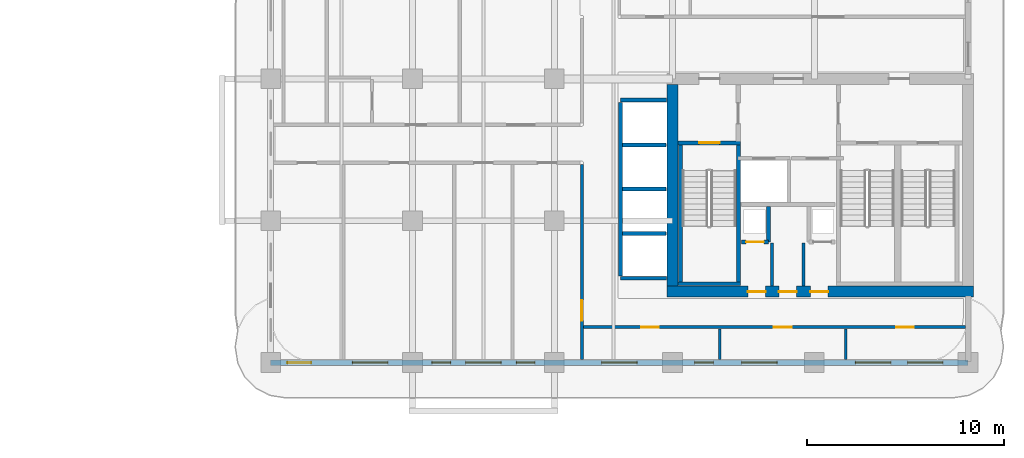
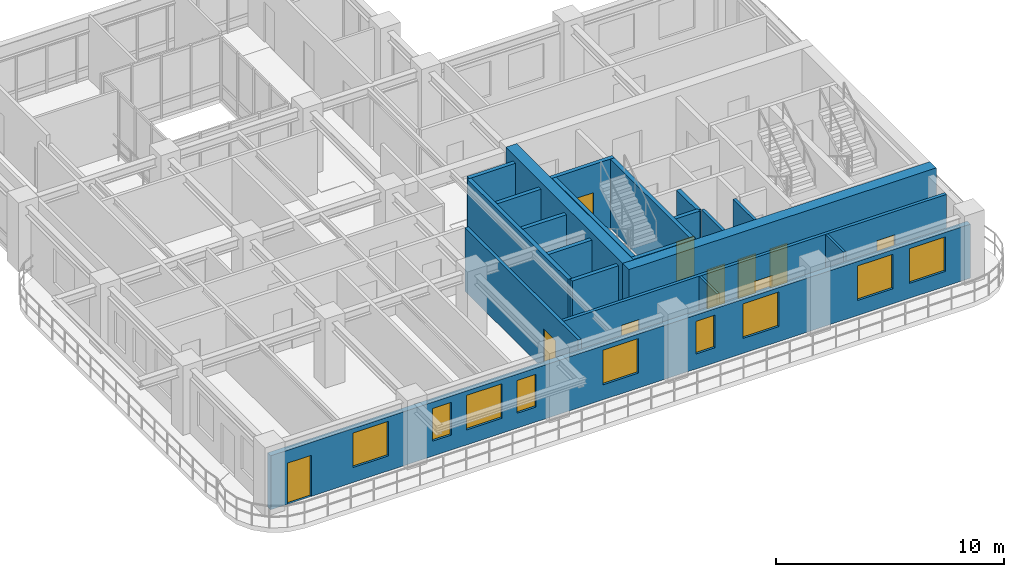
# One storey, part 12 of 21: 21 walls, 10 doors, 9 windows, 19 openings.
"""IFC4 building model written with IfcOpenShell, lengths in metres."""

from ifc_helpers import new_model, si_unit, derived_unit, direction, frame, frame_2d, origin, place, context, subcontext, project, spatial, rectangle, extrude, source, transform, mapped, material, layer, layer_set, type_object, type_shapes, element, fill, save


model = new_model("IFC4")

# Units and contexts
model_context = context("Model", 3, precision=1e-05, world=origin(), true_north=direction((0.0, 1.0)))
body_context = subcontext(model_context, "Body", "Model", "MODEL_VIEW")
ifc_project = project(units=[si_unit("LENGTHUNIT", "METRE"), si_unit("AREAUNIT", "SQUARE_METRE"), si_unit("VOLUMEUNIT", "CUBIC_METRE"), si_unit("PLANEANGLEUNIT", "RADIAN"), si_unit("MASSUNIT", "GRAM", prefix="KILO"), si_unit("THERMODYNAMICTEMPERATUREUNIT", "KELVIN"), si_unit("POWERUNIT", "WATT"), derived_unit("THERMALTRANSMITTANCEUNIT", [(si_unit("POWERUNIT", "WATT"), 1), (si_unit("AREAUNIT", "SQUARE_METRE"), -1), (si_unit("THERMODYNAMICTEMPERATUREUNIT", "KELVIN"), -1)])], contexts=[model_context])

# Site, building, storey
site_placement = place(None, origin())
site = spatial("IfcSite", under=ifc_project, at=site_placement, CompositionType="ELEMENT")
building_placement = place(site_placement, origin())
building = spatial("IfcBuilding", under=site, at=building_placement, Name="Zahravan Archway Hotel and Residences", CompositionType="ELEMENT")
storey_placement = place(building_placement, frame((0.0, 0.0, 141.39990234375)))
storey = spatial("IfcBuildingStorey", under=building, at=storey_placement, Name="L35", CompositionType="ELEMENT", Elevation=141.39990234375)

# Wall, openings, doors
ifc_material_1 = material(Name="Concrete C70/85", Category="concrete")
ifc_layer_1 = layer(ifc_material_1, 0.550048828125, Name="Concrete C70/85", Category="concrete")
ifc_layer_set_1 = layer_set([ifc_layer_1], Name="Concrete C70/85")
wall_type_1 = type_object("IfcWallType", Name="CW-CORE-550", PredefinedType="SHEAR", material=ifc_layer_set_1)
wall_1_placement = place(storey_placement, frame((34.52490234375, 3.60009765625, 0.0), z_axis=(0.0, 0.0, 1.0), x_axis=(1.0, 0.0, 0.0)))
wall_1 = element("IfcWall", 1, at=wall_1_placement, inside=storey, type_object=wall_type_1, Name="L35 Core A Shear S Wall 550 mm", PredefinedType="SHEAR", context=body_context, shape_type="SweptSolid", body=[
    extrude(rectangle(XDim=15.550048828125, YDim=0.550048828125, at=frame_2d((7.77490234375, 0.0))), origin(), (0.0, 0.0, 1.0), 3.7001953125),
])
opening_1_placement = place(wall_1_placement, frame((4.10498046875, 0.0, 0.0)))
opening_1 = element("IfcOpeningElement", 2, at=opening_1_placement, cuts=wall_1, Name="Opening FD-R1", PredefinedType="OPENING", context=body_context, shape_type="SweptSolid", body=[
    extrude(rectangle(XDim=0.89990234375, YDim=2.10009765625, at=frame_2d((0.449951171875, 1.050048828125))), frame((0.0, 0.28515625, 0.0), z_axis=(0.0, -1.0, 0.0), x_axis=(1.0, 0.0, 0.0)), (0.0, 0.0, 1.0), 0.570068359375),
])
opening_2_placement = place(wall_1_placement, frame((5.675048828125, 0.0, 0.0)))
opening_2 = element("IfcOpeningElement", 3, at=opening_2_placement, cuts=wall_1, Name="Opening FD-R1", PredefinedType="OPENING", context=body_context, shape_type="SweptSolid", body=[
    extrude(rectangle(XDim=0.89990234375, YDim=2.10009765625, at=frame_2d((0.449951171875, 1.050048828125))), frame((0.0, 0.28515625, 0.0), z_axis=(0.0, -1.0, 0.0), x_axis=(1.0, 0.0, 0.0)), (0.0, 0.0, 1.0), 0.570068359375),
])
opening_3_placement = place(wall_1_placement, frame((7.27490234375, 0.0, 0.0)))
opening_3 = element("IfcOpeningElement", 4, at=opening_3_placement, cuts=wall_1, Name="Opening FD-R1", PredefinedType="OPENING", context=body_context, shape_type="SweptSolid", body=[
    extrude(rectangle(XDim=0.89990234375, YDim=2.10009765625, at=frame_2d((0.449951171875, 1.050048828125))), frame((0.0, 0.28515625, 0.0), z_axis=(0.0, -1.0, 0.0), x_axis=(1.0, 0.0, 0.0)), (0.0, 0.0, 1.0), 0.570068359375),
])
ifc_material_2 = material(Name="Fire-Rated Painted Steel", Category="steel")
door_type_1 = type_object("IfcDoorType", Name="FD-RISER-900", OperationType="NOTDEFINED", PredefinedType="DOOR", material=ifc_material_2)
shared_shape_1 = source(origin(), body_context, "Body", "SweptSolid", [
    extrude(rectangle(XDim=0.89990234375, YDim=2.10009765625, at=frame_2d((0.449951171875, 1.050048828125))), frame((0.0, 0.02490234375, 0.0), z_axis=(0.0, -1.0, 0.0), x_axis=(1.0, 0.0, 0.0)), (0.0, 0.0, 1.0), 0.050048828125),
])
type_shapes(door_type_1, [shared_shape_1])
door_1_placement = place(opening_1_placement, origin())
door_1 = element("IfcDoor", 5, at=door_1_placement, inside=storey, type_object=door_type_1, Name="L35 Linen Store Door", OperationType="SINGLE_SWING_LEFT", OverallHeight=2.10009765625, OverallWidth=0.89990234375, PredefinedType="DOOR", context=body_context, shape_type="MappedRepresentation", body=[
    mapped(shared_shape_1, transform((0.0, 0.0, 0.0), scale=1.0)),
])
fill(opening_1, door_1)
door_2_placement = place(opening_2_placement, origin())
door_2 = element("IfcDoor", 6, at=door_2_placement, inside=storey, type_object=door_type_1, Name="L35 Housekeeping Store Door", OperationType="SINGLE_SWING_RIGHT", OverallHeight=2.10009765625, OverallWidth=0.89990234375, PredefinedType="DOOR", context=body_context, shape_type="MappedRepresentation", body=[
    mapped(shared_shape_1, transform((0.0, 0.0, 0.0), scale=1.0)),
])
fill(opening_2, door_2)
door_3_placement = place(opening_3_placement, origin())
door_3 = element("IfcDoor", 7, at=door_3_placement, inside=storey, type_object=door_type_1, Name="L35 Janitor Store Door", OperationType="SINGLE_SWING_LEFT", OverallHeight=2.10009765625, OverallWidth=0.89990234375, PredefinedType="DOOR", context=body_context, shape_type="MappedRepresentation", body=[
    mapped(shared_shape_1, transform((0.0, 0.0, 0.0), scale=1.0)),
])
fill(opening_3, door_3)

# Wall
wall_2_placement = place(storey_placement, frame((34.800048828125, 3.875, 0.0), z_axis=(0.0, 0.0, 1.0), x_axis=(0.0, 1.0, 0.0)))
element("IfcWall", 8, at=wall_2_placement, inside=storey, type_object=wall_type_1, Name="L35 Core A Shear W Wall 550 mm", PredefinedType="SHEAR", context=body_context, shape_type="SweptSolid", body=[
    extrude(rectangle(XDim=10.25, YDim=0.550048828125, at=frame_2d((5.125, 0.0))), origin(), (0.0, 0.0, 1.0), 3.7001953125),
])

# Wall, openings, door, windows
ifc_material_3 = material(Name="Honed Red-Ochre Sandstone & Insulated Block", Category="masonry")
ifc_layer_2 = layer(ifc_material_3, 0.280029296875, Name="Honed Red-Ochre Sandstone & Insulated Block", Category="masonry")
ifc_layer_set_2 = layer_set([ifc_layer_2], Name="Honed Red-Ochre Sandstone & Insulated Block")
wall_type_2 = type_object("IfcWallType", Name="EW-LOG-280", PredefinedType="SOLIDWALL", material=ifc_layer_set_2)
wall_3_placement = place(storey_placement, frame((14.39990234375, 0.0, 0.0), z_axis=(0.0, 0.0, 1.0), x_axis=(1.0, 0.0, 0.0)))
wall_3 = element("IfcWall", 9, at=wall_3_placement, inside=storey, type_object=wall_type_2, Name="L35 Exterior Sandstone Wall WA-S", PredefinedType="SOLIDWALL", context=body_context, shape_type="SweptSolid", body=[
    extrude(rectangle(XDim=35.400146484375, YDim=0.280029296875, at=frame_2d((17.7001953125, 0.0))), origin(), (0.0, 0.0, 1.0), 2.885009765625),
])
opening_4_placement = place(wall_3_placement, frame((0.85009765625, 0.0, 0.0)))
opening_4 = element("IfcOpeningElement", 10, at=opening_4_placement, cuts=wall_3, Name="Opening ED-BL1", PredefinedType="OPENING", context=body_context, shape_type="SweptSolid", body=[
    extrude(rectangle(XDim=1.199951171875, YDim=2.199951171875, at=frame_2d((0.60009765625, 1.10009765625))), frame((0.0, 0.14990234375, 0.0), z_axis=(0.0, -1.0, 0.0), x_axis=(1.0, 0.0, 0.0)), (0.0, 0.0, 1.0), 0.300048828125),
])
opening_5_placement = place(wall_3_placement, frame((4.154052734375, 0.0, 0.800048828125)))
opening_5 = element("IfcOpeningElement", 11, at=opening_5_placement, cuts=wall_3, Name="Opening W-02", PredefinedType="OPENING", context=body_context, shape_type="SweptSolid", body=[
    extrude(rectangle(XDim=1.800048828125, YDim=1.85009765625, at=frame_2d((0.89990234375, 0.925048828125))), frame((0.0, 0.14990234375, 0.0), z_axis=(0.0, -1.0, 0.0), x_axis=(1.0, 0.0, 0.0)), (0.0, 0.0, 1.0), 0.300048828125),
])
opening_6_placement = place(wall_3_placement, frame((8.180908203125, 0.0, 0.800048828125)))
opening_6 = element("IfcOpeningElement", 12, at=opening_6_placement, cuts=wall_3, Name="Opening W-04", PredefinedType="OPENING", context=body_context, shape_type="SweptSolid", body=[
    extrude(rectangle(XDim=0.949951171875, YDim=1.75, at=frame_2d((0.47509765625, 0.875))), frame((0.0, 0.14990234375, 0.0), z_axis=(0.0, -1.0, 0.0), x_axis=(1.0, 0.0, 0.0)), (0.0, 0.0, 1.0), 0.300048828125),
])
opening_7_placement = place(wall_3_placement, frame((9.89990234375, 0.0, 0.800048828125)))
opening_7 = element("IfcOpeningElement", 13, at=opening_7_placement, cuts=wall_3, Name="Opening W-02", PredefinedType="OPENING", context=body_context, shape_type="SweptSolid", body=[
    extrude(rectangle(XDim=1.800048828125, YDim=1.85009765625, at=frame_2d((0.89990234375, 0.925048828125))), frame((0.0, 0.14990234375, 0.0), z_axis=(0.0, -1.0, 0.0), x_axis=(1.0, 0.0, 0.0)), (0.0, 0.0, 1.0), 0.300048828125),
])
opening_8_placement = place(wall_3_placement, frame((12.468994140625, 0.0, 0.800048828125)))
opening_8 = element("IfcOpeningElement", 14, at=opening_8_placement, cuts=wall_3, Name="Opening W-04", PredefinedType="OPENING", context=body_context, shape_type="SweptSolid", body=[
    extrude(rectangle(XDim=0.949951171875, YDim=1.75, at=frame_2d((0.47509765625, 0.875))), frame((0.0, 0.14990234375, 0.0), z_axis=(0.0, -1.0, 0.0), x_axis=(1.0, 0.0, 0.0)), (0.0, 0.0, 1.0), 0.300048828125),
])
opening_9_placement = place(wall_3_placement, frame((16.803955078125, 0.0, 0.800048828125)))
opening_9 = element("IfcOpeningElement", 15, at=opening_9_placement, cuts=wall_3, Name="Opening W-02", PredefinedType="OPENING", context=body_context, shape_type="SweptSolid", body=[
    extrude(rectangle(XDim=1.800048828125, YDim=1.85009765625, at=frame_2d((0.89990234375, 0.925048828125))), frame((0.0, 0.14990234375, 0.0), z_axis=(0.0, -1.0, 0.0), x_axis=(1.0, 0.0, 0.0)), (0.0, 0.0, 1.0), 0.300048828125),
])
opening_10_placement = place(wall_3_placement, frame((21.52099609375, 0.0, 0.800048828125)))
opening_10 = element("IfcOpeningElement", 16, at=opening_10_placement, cuts=wall_3, Name="Opening W-04", PredefinedType="OPENING", context=body_context, shape_type="SweptSolid", body=[
    extrude(rectangle(XDim=0.949951171875, YDim=1.75, at=frame_2d((0.47509765625, 0.875))), frame((0.0, 0.14990234375, 0.0), z_axis=(0.0, -1.0, 0.0), x_axis=(1.0, 0.0, 0.0)), (0.0, 0.0, 1.0), 0.300048828125),
])
opening_11_placement = place(wall_3_placement, frame((23.904052734375, 0.0, 0.800048828125)))
opening_11 = element("IfcOpeningElement", 17, at=opening_11_placement, cuts=wall_3, Name="Opening W-02", PredefinedType="OPENING", context=body_context, shape_type="SweptSolid", body=[
    extrude(rectangle(XDim=1.800048828125, YDim=1.85009765625, at=frame_2d((0.89990234375, 0.925048828125))), frame((0.0, 0.14990234375, 0.0), z_axis=(0.0, -1.0, 0.0), x_axis=(1.0, 0.0, 0.0)), (0.0, 0.0, 1.0), 0.300048828125),
])
opening_12_placement = place(wall_3_placement, frame((29.680908203125, 0.0, 0.800048828125)))
opening_12 = element("IfcOpeningElement", 18, at=opening_12_placement, cuts=wall_3, Name="Opening W-02", PredefinedType="OPENING", context=body_context, shape_type="SweptSolid", body=[
    extrude(rectangle(XDim=1.800048828125, YDim=1.85009765625, at=frame_2d((0.89990234375, 0.925048828125))), frame((0.0, 0.14990234375, 0.0), z_axis=(0.0, -1.0, 0.0), x_axis=(1.0, 0.0, 0.0)), (0.0, 0.0, 1.0), 0.300048828125),
])
opening_13_placement = place(wall_3_placement, frame((32.326904296875, 0.0, 0.800048828125)))
opening_13 = element("IfcOpeningElement", 19, at=opening_13_placement, cuts=wall_3, Name="Opening W-02", PredefinedType="OPENING", context=body_context, shape_type="SweptSolid", body=[
    extrude(rectangle(XDim=1.800048828125, YDim=1.85009765625, at=frame_2d((0.89990234375, 0.925048828125))), frame((0.0, 0.14990234375, 0.0), z_axis=(0.0, -1.0, 0.0), x_axis=(1.0, 0.0, 0.0)), (0.0, 0.0, 1.0), 0.300048828125),
])
ifc_material_4 = material(Name="Bronze-Anodized Glazed Aluminium", Category="aluminium")
door_type_2 = type_object("IfcDoorType", Name="ED-BALC-1200", OperationType="SLIDING_TO_LEFT", PredefinedType="DOOR", material=ifc_material_4)
shared_shape_2 = source(origin(), body_context, "Body", "SweptSolid", [
    extrude(rectangle(XDim=1.199951171875, YDim=2.199951171875, at=frame_2d((0.60009765625, 1.10009765625))), frame((0.0, 0.02490234375, 0.0), z_axis=(0.0, -1.0, 0.0), x_axis=(1.0, 0.0, 0.0)), (0.0, 0.0, 1.0), 0.050048828125),
])
type_shapes(door_type_2, [shared_shape_2])
door_4_placement = place(opening_4_placement, origin())
door_4 = element("IfcDoor", 20, at=door_4_placement, inside=storey, type_object=door_type_2, Name="L35 Outdoor Access Sliding Door (SLB-BAL-L35-SA)", OperationType="SLIDING_TO_LEFT", OverallHeight=2.199951171875, OverallWidth=1.199951171875, PredefinedType="DOOR", context=body_context, shape_type="MappedRepresentation", body=[
    mapped(shared_shape_2, transform((0.0, 0.0, 0.0), scale=1.0)),
])
fill(opening_4, door_4)
ifc_material_5 = material(Name="Bronze-Anodized Thermal-Break Aluminium & Low-E Glass", Category="aluminium")
window_type_1 = type_object("IfcWindowType", Name="WIN-NAR-950", PartitioningType="SINGLE_PANEL", PredefinedType="WINDOW", material=ifc_material_5)
shared_shape_3 = source(origin(), body_context, "Body", "SweptSolid", [
    extrude(rectangle(XDim=0.949951171875, YDim=1.75, at=frame_2d((0.47509765625, 0.875))), frame((0.0, 0.030029296875, 0.0), z_axis=(0.0, -1.0, 0.0), x_axis=(1.0, 0.0, 0.0)), (0.0, 0.0, 1.0), 0.06005859375),
])
type_shapes(window_type_1, [shared_shape_3])
window_1_placement = place(opening_6_placement, origin())
window_1 = element("IfcWindow", 21, at=window_1_placement, inside=storey, type_object=window_type_1, Name="L35 Loggia Window 02", OverallHeight=1.75, OverallWidth=0.949951171875, PartitioningType="SINGLE_PANEL", PredefinedType="WINDOW", context=body_context, shape_type="MappedRepresentation", body=[
    mapped(shared_shape_3, transform((0.0, 0.0, 0.0), scale=1.0)),
])
fill(opening_6, window_1)
window_2_placement = place(opening_8_placement, origin())
window_2 = element("IfcWindow", 22, at=window_2_placement, inside=storey, type_object=window_type_1, Name="L35 Loggia Window 04", OverallHeight=1.75, OverallWidth=0.949951171875, PartitioningType="SINGLE_PANEL", PredefinedType="WINDOW", context=body_context, shape_type="MappedRepresentation", body=[
    mapped(shared_shape_3, transform((0.0, 0.0, 0.0), scale=1.0)),
])
fill(opening_8, window_2)
window_3_placement = place(opening_10_placement, origin())
window_3 = element("IfcWindow", 23, at=window_3_placement, inside=storey, type_object=window_type_1, Name="L35 Loggia Window 06", OverallHeight=1.75, OverallWidth=0.949951171875, PartitioningType="SINGLE_PANEL", PredefinedType="WINDOW", context=body_context, shape_type="MappedRepresentation", body=[
    mapped(shared_shape_3, transform((0.0, 0.0, 0.0), scale=1.0)),
])
fill(opening_10, window_3)
window_type_2 = type_object("IfcWindowType", Name="WIN-TWR-1800", PartitioningType="DOUBLE_PANEL_VERTICAL", PredefinedType="WINDOW", material=ifc_material_5)
shared_shape_4 = source(origin(), body_context, "Body", "SweptSolid", [
    extrude(rectangle(XDim=1.800048828125, YDim=1.85009765625, at=frame_2d((0.89990234375, 0.925048828125))), frame((0.0, 0.030029296875, 0.0), z_axis=(0.0, -1.0, 0.0), x_axis=(1.0, 0.0, 0.0)), (0.0, 0.0, 1.0), 0.06005859375),
])
type_shapes(window_type_2, [shared_shape_4])
window_4_placement = place(opening_5_placement, origin())
window_4 = element("IfcWindow", 24, at=window_4_placement, inside=storey, type_object=window_type_2, Name="L35 Loggia Window 01", OverallHeight=1.85009765625, OverallWidth=1.800048828125, PartitioningType="DOUBLE_PANEL_VERTICAL", PredefinedType="WINDOW", context=body_context, shape_type="MappedRepresentation", body=[
    mapped(shared_shape_4, transform((0.0, 0.0, 0.0), scale=1.0)),
])
fill(opening_5, window_4)
window_5_placement = place(opening_7_placement, origin())
window_5 = element("IfcWindow", 25, at=window_5_placement, inside=storey, type_object=window_type_2, Name="L35 Loggia Window 03", OverallHeight=1.85009765625, OverallWidth=1.800048828125, PartitioningType="DOUBLE_PANEL_VERTICAL", PredefinedType="WINDOW", context=body_context, shape_type="MappedRepresentation", body=[
    mapped(shared_shape_4, transform((0.0, 0.0, 0.0), scale=1.0)),
])
fill(opening_7, window_5)
window_6_placement = place(opening_9_placement, origin())
window_6 = element("IfcWindow", 26, at=window_6_placement, inside=storey, type_object=window_type_2, Name="L35 Loggia Window 05", OverallHeight=1.85009765625, OverallWidth=1.800048828125, PartitioningType="DOUBLE_PANEL_VERTICAL", PredefinedType="WINDOW", context=body_context, shape_type="MappedRepresentation", body=[
    mapped(shared_shape_4, transform((0.0, 0.0, 0.0), scale=1.0)),
])
fill(opening_9, window_6)
window_7_placement = place(opening_11_placement, origin())
window_7 = element("IfcWindow", 27, at=window_7_placement, inside=storey, type_object=window_type_2, Name="L35 Loggia Window 07", OverallHeight=1.85009765625, OverallWidth=1.800048828125, PartitioningType="DOUBLE_PANEL_VERTICAL", PredefinedType="WINDOW", context=body_context, shape_type="MappedRepresentation", body=[
    mapped(shared_shape_4, transform((0.0, 0.0, 0.0), scale=1.0)),
])
fill(opening_11, window_7)
window_8_placement = place(opening_12_placement, origin())
window_8 = element("IfcWindow", 28, at=window_8_placement, inside=storey, type_object=window_type_2, Name="L35 Loggia Window 08", OverallHeight=1.85009765625, OverallWidth=1.800048828125, PartitioningType="DOUBLE_PANEL_VERTICAL", PredefinedType="WINDOW", context=body_context, shape_type="MappedRepresentation", body=[
    mapped(shared_shape_4, transform((0.0, 0.0, 0.0), scale=1.0)),
])
fill(opening_12, window_8)
window_9_placement = place(opening_13_placement, origin())
window_9 = element("IfcWindow", 29, at=window_9_placement, inside=storey, type_object=window_type_2, Name="L35 Loggia Window 09", OverallHeight=1.85009765625, OverallWidth=1.800048828125, PartitioningType="DOUBLE_PANEL_VERTICAL", PredefinedType="WINDOW", context=body_context, shape_type="MappedRepresentation", body=[
    mapped(shared_shape_4, transform((0.0, 0.0, 0.0), scale=1.0)),
])
fill(opening_13, window_9)

# Wall, opening, door
ifc_material_6 = material(Name="Fire-Rated Gypsum & Concrete Block", Category="concrete")
ifc_layer_3 = layer(ifc_material_6, 0.159912109375, Name="Fire-Rated Gypsum & Concrete Block", Category="concrete")
ifc_layer_set_3 = layer_set([ifc_layer_3], Name="Fire-Rated Gypsum & Concrete Block")
wall_type_3 = type_object("IfcWallType", Name="PW-CORR-160", PredefinedType="PARTITIONING", material=ifc_layer_set_3)
wall_4_placement = place(storey_placement, frame((30.199951171875, 0.14794921875, 0.0), z_axis=(0.0, 0.0, 1.0), x_axis=(0.0, 1.0, 0.0)))
wall_4 = element("IfcWall", 30, at=wall_4_placement, inside=storey, type_object=wall_type_3, Name="L35 Partition WA-SRW", PredefinedType="PARTITIONING", context=body_context, shape_type="SweptSolid", body=[
    extrude(rectangle(XDim=9.912109375, YDim=0.159912109375, at=frame_2d((4.9560546875, 0.0))), origin(), (0.0, 0.0, 1.0), 3.400146484375),
])
opening_14_placement = place(wall_4_placement, frame((1.97705078125, 0.0, 0.0)))
opening_14 = element("IfcOpeningElement", 31, at=opening_14_placement, cuts=wall_4, Name="Opening FD-L2", PredefinedType="OPENING", context=body_context, shape_type="SweptSolid", body=[
    extrude(rectangle(XDim=1.050048828125, YDim=2.14990234375, at=frame_2d((0.52490234375, 1.074951171875))), frame((0.0, 0.08984375, 0.0), z_axis=(0.0, -1.0, 0.0), x_axis=(1.0, 0.0, 0.0)), (0.0, 0.0, 1.0), 0.179931640625),
])
door_type_3 = type_object("IfcDoorType", Name="FD-LOBBY-1100", OperationType="NOTDEFINED", PredefinedType="DOOR", material=ifc_material_2)
shared_shape_5 = source(origin(), body_context, "Body", "SweptSolid", [
    extrude(rectangle(XDim=1.050048828125, YDim=2.14990234375, at=frame_2d((0.52490234375, 1.074951171875))), frame((0.0, 0.02490234375, 0.0), z_axis=(0.0, -1.0, 0.0), x_axis=(1.0, 0.0, 0.0)), (0.0, 0.0, 1.0), 0.050048828125),
])
type_shapes(door_type_3, [shared_shape_5])
door_5_placement = place(opening_14_placement, origin())
door_5 = element("IfcDoor", 32, at=door_5_placement, inside=storey, type_object=door_type_3, Name="L35 South Riser Corridor Door", OperationType="SINGLE_SWING_LEFT", OverallHeight=2.14990234375, OverallWidth=1.050048828125, PredefinedType="DOOR", context=body_context, shape_type="MappedRepresentation", body=[
    mapped(shared_shape_5, transform((0.0, 0.0, 0.0), scale=1.0)),
])
fill(opening_14, door_5)

# Wall, openings, doors
wall_5_placement = place(storey_placement, frame((30.2900390625, 1.800048828125, 0.0), z_axis=(0.0, 0.0, 1.0), x_axis=(1.0, 0.0, 0.0)))
wall_5 = element("IfcWall", 33, at=wall_5_placement, inside=storey, type_object=wall_type_3, Name="L35 Partition WA-SRS", PredefinedType="PARTITIONING", context=body_context, shape_type="SweptSolid", body=[
    extrude(rectangle(XDim=19.369873046875, YDim=0.159912109375, at=frame_2d((9.68505859375, 0.0))), origin(), (0.0, 0.0, 1.0), 3.400146484375),
])
opening_15_placement = place(wall_5_placement, frame((2.916259765625, 0.0, 0.0)))
opening_15 = element("IfcOpeningElement", 34, at=opening_15_placement, cuts=wall_5, Name="Opening D-I2", PredefinedType="OPENING", context=body_context, shape_type="SweptSolid", body=[
    extrude(rectangle(XDim=0.89990234375, YDim=2.14990234375, at=frame_2d((0.449951171875, 1.074951171875))), frame((0.0, 0.08984375, 0.0), z_axis=(0.0, -1.0, 0.0), x_axis=(1.0, 0.0, 0.0)), (0.0, 0.0, 1.0), 0.179931640625),
])
opening_16_placement = place(wall_5_placement, frame((9.659912109375, 0.0, 0.0)))
opening_16 = element("IfcOpeningElement", 35, at=opening_16_placement, cuts=wall_5, Name="Opening D-I2", PredefinedType="OPENING", context=body_context, shape_type="SweptSolid", body=[
    extrude(rectangle(XDim=0.89990234375, YDim=2.14990234375, at=frame_2d((0.449951171875, 1.074951171875))), frame((0.0, 0.08984375, 0.0), z_axis=(0.0, -1.0, 0.0), x_axis=(1.0, 0.0, 0.0)), (0.0, 0.0, 1.0), 0.179931640625),
])
opening_17_placement = place(wall_5_placement, frame((15.860107421875, 0.0, 0.0)))
opening_17 = element("IfcOpeningElement", 36, at=opening_17_placement, cuts=wall_5, Name="Opening D-I2", PredefinedType="OPENING", context=body_context, shape_type="SweptSolid", body=[
    extrude(rectangle(XDim=0.89990234375, YDim=2.14990234375, at=frame_2d((0.449951171875, 1.074951171875))), frame((0.0, 0.08984375, 0.0), z_axis=(0.0, -1.0, 0.0), x_axis=(1.0, 0.0, 0.0)), (0.0, 0.0, 1.0), 0.179931640625),
])
ifc_material_7 = material(Name="Hardwood Veneer Timber", Category="wood")
door_type_4 = type_object("IfcDoorType", Name="ID-INT-900", OperationType="NOTDEFINED", PredefinedType="DOOR", material=ifc_material_7)
shared_shape_6 = source(origin(), body_context, "Body", "SweptSolid", [
    extrude(rectangle(XDim=0.89990234375, YDim=2.14990234375, at=frame_2d((0.449951171875, 1.074951171875))), frame((0.0, 0.02490234375, 0.0), z_axis=(0.0, -1.0, 0.0), x_axis=(1.0, 0.0, 0.0)), (0.0, 0.0, 1.0), 0.050048828125),
])
type_shapes(door_type_4, [shared_shape_6])
door_6_placement = place(opening_15_placement, origin())
door_6 = element("IfcDoor", 37, at=door_6_placement, inside=storey, type_object=door_type_4, Name="L35 South Office Door", OperationType="SINGLE_SWING_RIGHT", OverallHeight=2.14990234375, OverallWidth=0.89990234375, PredefinedType="DOOR", context=body_context, shape_type="MappedRepresentation", body=[
    mapped(shared_shape_6, transform((0.0, 0.0, 0.0), scale=1.0)),
])
fill(opening_15, door_6)
door_7_placement = place(opening_16_placement, origin())
door_7 = element("IfcDoor", 38, at=door_7_placement, inside=storey, type_object=door_type_4, Name="L35 South Meeting Door", OperationType="SINGLE_SWING_LEFT", OverallHeight=2.14990234375, OverallWidth=0.89990234375, PredefinedType="DOOR", context=body_context, shape_type="MappedRepresentation", body=[
    mapped(shared_shape_6, transform((0.0, 0.0, 0.0), scale=1.0)),
])
fill(opening_16, door_7)
door_8_placement = place(opening_17_placement, origin())
door_8 = element("IfcDoor", 39, at=door_8_placement, inside=storey, type_object=door_type_4, Name="L35 South Prayer Alcove Door", OperationType="SINGLE_SWING_RIGHT", OverallHeight=2.14990234375, OverallWidth=0.89990234375, PredefinedType="DOOR", context=body_context, shape_type="MappedRepresentation", body=[
    mapped(shared_shape_6, transform((0.0, 0.0, 0.0), scale=1.0)),
])
fill(opening_17, door_8)

# Walls
ifc_material_8 = material(Name="Acoustic Stud Partition")
ifc_layer_4 = layer(ifc_material_8, 0.125, Name="Acoustic Stud Partition")
ifc_layer_set_4 = layer_set([ifc_layer_4], Name="Acoustic Stud Partition")
wall_type_4 = type_object("IfcWallType", Name="PW-INT-125", PredefinedType="PARTITIONING", material=ifc_layer_set_4)
for number, where, z_axis, x_axis, name in (
    (40, (37.199951171875, 0.14794921875, 0.0), (0.0, 0.0, 1.0), (0.0, 1.0, 0.0), "L35 Partition S-DIV2A"),
    (41, (43.60009765625, 0.14794921875, 0.0), (0.0, 0.0, 1.0), (0.0, 1.0, 0.0), "L35 Partition S-DIV2B"),
):
    element("IfcWall", number, at=place(storey_placement, frame(where, z_axis=z_axis, x_axis=x_axis)), inside=storey, type_object=wall_type_4, Name=name, PredefinedType="PARTITIONING", context=body_context, shape_type="SweptSolid", body=[
        extrude(rectangle(XDim=1.56201171875, YDim=0.125, at=frame_2d((0.781005859375, 0.0))), origin(), (0.0, 0.0, 1.0), 3.400146484375),
    ])

# Wall, opening, door
ifc_layer_5 = layer(ifc_material_6, 0.199951171875, Name="Fire-Rated Gypsum & Concrete Block", Category="concrete")
ifc_layer_set_5 = layer_set([ifc_layer_5], Name="Fire-Rated Gypsum & Concrete Block")
wall_type_5 = type_object("IfcWallType", Name="PW-SHAFT-200", PredefinedType="PARTITIONING", material=ifc_layer_set_5)
wall_6_placement = place(storey_placement, frame((38.2900390625, 6.1201171875, 0.0), z_axis=(0.0, 0.0, 1.0), x_axis=(1.0, 0.0, 0.0)))
wall_6 = element("IfcWall", 42, at=wall_6_placement, inside=storey, type_object=wall_type_5, Name="L35 Partition CA-SMKS", PredefinedType="PARTITIONING", context=body_context, shape_type="SweptSolid", body=[
    extrude(rectangle(XDim=1.3798828125, YDim=0.199951171875, at=frame_2d((0.68994140625, 0.0))), origin(), (0.0, 0.0, 1.0), 3.400146484375),
])
opening_18_placement = place(wall_6_placement, frame((0.239990234375, 0.0, 0.0)))
opening_18 = element("IfcOpeningElement", 43, at=opening_18_placement, cuts=wall_6, Name="Opening FD-R1", PredefinedType="OPENING", context=body_context, shape_type="SweptSolid", body=[
    extrude(rectangle(XDim=0.89990234375, YDim=2.10009765625, at=frame_2d((0.449951171875, 1.050048828125))), frame((0.0, 0.10986328125, 0.0), z_axis=(0.0, -1.0, 0.0), x_axis=(1.0, 0.0, 0.0)), (0.0, 0.0, 1.0), 0.219970703125),
])
door_9_placement = place(opening_18_placement, origin())
door_9 = element("IfcDoor", 44, at=door_9_placement, inside=storey, type_object=door_type_1, Name="L35 Smoke Riser Access Door", OperationType="SINGLE_SWING_LEFT", OverallHeight=2.10009765625, OverallWidth=0.89990234375, PredefinedType="DOOR", context=body_context, shape_type="MappedRepresentation", body=[
    mapped(shared_shape_1, transform((0.0, 0.0, 0.0), scale=1.0)),
])
fill(opening_18, door_9)

# Walls
wall_7_placement = place(storey_placement, frame((39.679931640625, 6.1298828125, 0.0), z_axis=(0.0, 0.0, 1.0), x_axis=(0.0, 1.0, 0.0)))
element("IfcWall", 45, at=wall_7_placement, inside=storey, type_object=wall_type_5, Name="L35 Partition CA-SMKE", PredefinedType="PARTITIONING", context=body_context, shape_type="SweptSolid", body=[
    extrude(rectangle(XDim=1.7900390625, YDim=0.199951171875, at=frame_2d((0.89501953125, 0.0))), origin(), (0.0, 0.0, 1.0), 3.400146484375),
])
for number, where, z_axis, x_axis, name in (
    (46, (32.159912109375, 4.280029296875, 0.0), (0.0, 0.0, 1.0), (1.0, 0.0, 0.0), "L35 Partition B3-S"),
    (47, (32.159912109375, 13.320068359375, 0.0), (0.0, 0.0, 1.0), (1.0, 0.0, 0.0), "L35 Partition B3-N"),
):
    element("IfcWall", number, at=place(storey_placement, frame(where, z_axis=z_axis, x_axis=x_axis)), inside=storey, type_object=wall_type_5, Name=name, PredefinedType="PARTITIONING", context=body_context, shape_type="SweptSolid", body=[
        extrude(rectangle(XDim=2.335205078125, YDim=0.199951171875, at=frame_2d((1.16748046875, 0.0))), origin(), (0.0, 0.0, 1.0), 3.400146484375),
    ])
wall_8_placement = place(storey_placement, frame((32.14990234375, 4.389892578125, 0.0), z_axis=(0.0, 0.0, 1.0), x_axis=(0.0, 1.0, 0.0)))
element("IfcWall", 48, at=wall_8_placement, inside=storey, type_object=wall_type_5, Name="L35 Partition B3-W", PredefinedType="PARTITIONING", context=body_context, shape_type="SweptSolid", body=[
    extrude(rectangle(XDim=8.820068359375, YDim=0.199951171875, at=frame_2d((4.41015625, 0.0))), origin(), (0.0, 0.0, 1.0), 3.400146484375),
])
for number, where, z_axis, x_axis, name in (
    (49, (32.260009765625, 6.56005859375, 0.0), (0.0, 0.0, 1.0), (1.0, 0.0, 0.0), "L35 Partition B3-D"),
    (50, (32.260009765625, 8.800048828125, 0.0), (0.0, 0.0, 1.0), (1.0, 0.0, 0.0), "L35 Partition B3-D"),
    (51, (32.260009765625, 11.0400390625, 0.0), (0.0, 0.0, 1.0), (1.0, 0.0, 0.0), "L35 Partition B3-D"),
):
    element("IfcWall", number, at=place(storey_placement, frame(where, z_axis=z_axis, x_axis=x_axis)), inside=storey, type_object=wall_type_5, Name=name, PredefinedType="PARTITIONING", context=body_context, shape_type="SweptSolid", body=[
        extrude(rectangle(XDim=2.205078125, YDim=0.199951171875, at=frame_2d((1.1025390625, 0.0))), origin(), (0.0, 0.0, 1.0), 3.400146484375),
    ])
ifc_material_9 = material(Name="Moisture-Resistant Blockwork", Category="masonry")
ifc_layer_6 = layer(ifc_material_9, 0.139892578125, Name="Moisture-Resistant Blockwork", Category="masonry")
ifc_layer_set_6 = layer_set([ifc_layer_6], Name="Moisture-Resistant Blockwork")
wall_type_6 = type_object("IfcWallType", Name="PW-WET-140", PredefinedType="PARTITIONING", material=ifc_layer_set_6)
for number, where, z_axis, x_axis, name in (
    (52, (39.85009765625, 3.89501953125, 0.0), (0.0, 0.0, 1.0), (0.0, 1.0, 0.0), "L35 Partition CA-CV1A"),
    (53, (41.449951171875, 3.89501953125, 0.0), (0.0, 0.0, 1.0), (0.0, 1.0, 0.0), "L35 Partition CA-CV1B"),
):
    element("IfcWall", number, at=place(storey_placement, frame(where, z_axis=z_axis, x_axis=x_axis)), inside=storey, type_object=wall_type_6, Name=name, PredefinedType="PARTITIONING", context=body_context, shape_type="SweptSolid", body=[
        extrude(rectangle(XDim=2.18505859375, YDim=0.139892578125, at=frame_2d((1.092529296875, 0.0))), origin(), (0.0, 0.0, 1.0), 3.400146484375),
    ])
ifc_material_10 = material(Name="Concrete C50/60", Category="concrete")
ifc_layer_7 = layer(ifc_material_10, 0.199951171875, Name="Concrete C50/60", Category="concrete")
ifc_layer_set_7 = layer_set([ifc_layer_7], Name="Concrete C50/60")
wall_type_7 = type_object("IfcWallType", Name="SW-STAIR-200", PredefinedType="SHEAR", material=ifc_layer_set_7)
wall_9_placement = place(storey_placement, frame((35.074951171875, 4.0, 0.0), z_axis=(0.0, 0.0, 1.0), x_axis=(1.0, 0.0, 0.0)))
element("IfcWall", 54, at=wall_9_placement, inside=storey, type_object=wall_type_7, Name="L35 Stairwell RC Wall CA-SA1S", PredefinedType="SHEAR", context=body_context, shape_type="SweptSolid", body=[
    extrude(rectangle(XDim=3.1650390625, YDim=0.199951171875, at=frame_2d((1.58251953125, 0.0))), origin(), (0.0, 0.0, 1.0), 3.7001953125),
])
for number, where, z_axis, x_axis, name in (
    (55, (35.199951171875, 4.10009765625, 0.0), (0.0, 0.0, 1.0), (0.0, 1.0, 0.0), "L35 Stairwell RC Wall CA-SA1W"),
    (56, (38.139892578125, 4.10009765625, 0.0), (0.0, 0.0, 1.0), (0.0, 1.0, 0.0), "L35 Stairwell RC Wall CA-SA1E"),
):
    element("IfcWall", number, at=place(storey_placement, frame(where, z_axis=z_axis, x_axis=x_axis)), inside=storey, type_object=wall_type_7, Name=name, PredefinedType="SHEAR", context=body_context, shape_type="SweptSolid", body=[
        extrude(rectangle(XDim=6.949951171875, YDim=0.199951171875, at=frame_2d((3.47509765625, 0.0))), origin(), (0.0, 0.0, 1.0), 3.7001953125),
    ])

# Wall, opening, door
wall_10_placement = place(storey_placement, frame((35.074951171875, 11.14990234375, 0.0), z_axis=(0.0, 0.0, 1.0), x_axis=(1.0, 0.0, 0.0)))
wall_10 = element("IfcWall", 57, at=wall_10_placement, inside=storey, type_object=wall_type_7, Name="L35 Stairwell RC Wall CA-SA1N", PredefinedType="SHEAR", context=body_context, shape_type="SweptSolid", body=[
    extrude(rectangle(XDim=3.1650390625, YDim=0.199951171875, at=frame_2d((1.58251953125, 0.0))), origin(), (0.0, 0.0, 1.0), 3.7001953125),
])
opening_19_placement = place(wall_10_placement, frame((1.070068359375, 0.0, 0.0)))
opening_19 = element("IfcOpeningElement", 58, at=opening_19_placement, cuts=wall_10, Name="Opening FD-S1", PredefinedType="OPENING", context=body_context, shape_type="SweptSolid", body=[
    extrude(rectangle(XDim=1.050048828125, YDim=2.199951171875, at=frame_2d((0.52490234375, 1.10009765625))), frame((0.0, 0.10986328125, 0.0), z_axis=(0.0, -1.0, 0.0), x_axis=(1.0, 0.0, 0.0)), (0.0, 0.0, 1.0), 0.219970703125),
])
door_type_5 = type_object("IfcDoorType", Name="FD-STAIR-1100", OperationType="NOTDEFINED", PredefinedType="DOOR", material=ifc_material_2)
shared_shape_7 = source(origin(), body_context, "Body", "SweptSolid", [
    extrude(rectangle(XDim=1.050048828125, YDim=2.199951171875, at=frame_2d((0.52490234375, 1.10009765625))), frame((0.0, 0.02490234375, 0.0), z_axis=(0.0, -1.0, 0.0), x_axis=(1.0, 0.0, 0.0)), (0.0, 0.0, 1.0), 0.050048828125),
])
type_shapes(door_type_5, [shared_shape_7])
door_10_placement = place(opening_19_placement, origin())
door_10 = element("IfcDoor", 59, at=door_10_placement, inside=storey, type_object=door_type_5, Name="L35 Stair ST-A1 Door", OperationType="SINGLE_SWING_RIGHT", OverallHeight=2.199951171875, OverallWidth=1.050048828125, PredefinedType="DOOR", context=body_context, shape_type="MappedRepresentation", body=[
    mapped(shared_shape_7, transform((0.0, 0.0, 0.0), scale=1.0)),
])
fill(opening_19, door_10)

save(model, "model.ifc")
